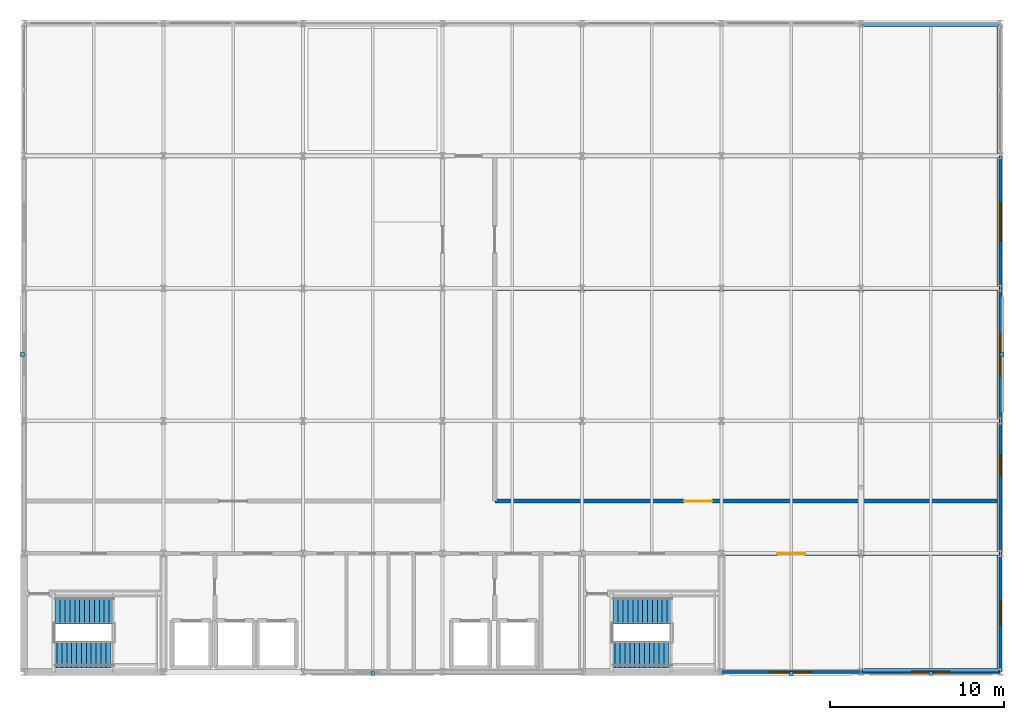
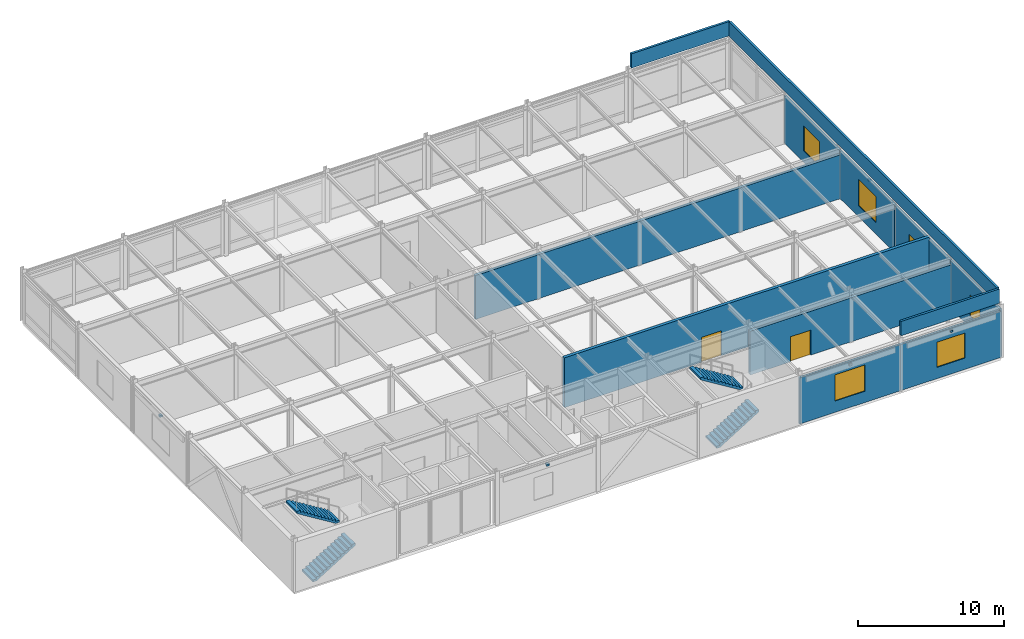
# One storey, part 15 of 16: 12 walls, 6 windows, 5 discrete accessories, 4 stair flights, 2 doors, 8 openings, 2 elements without a shape of their own.
"""IFC4 building model written with IfcOpenShell, lengths in metres."""

from ifc_helpers import new_model, si_unit, direction, frame, frame_2d, origin, origin_2d, place, context, subcontext, project, spatial, polyline, rectangle, outline, extrude, material, layer, layer_set, type_object, element, fill, aggregate, save


model = new_model("IFC4")

# Units and contexts
model_context = context("Model", 3, precision=1e-05, world=origin(), true_north=direction((0.0, 1.0)))
body_context = subcontext(model_context, "Body", "Model", "MODEL_VIEW")
ifc_project = project(units=[si_unit("LENGTHUNIT", "METRE"), si_unit("AREAUNIT", "SQUARE_METRE"), si_unit("VOLUMEUNIT", "CUBIC_METRE"), si_unit("PLANEANGLEUNIT", "RADIAN"), si_unit("MASSUNIT", "GRAM", prefix="KILO")], contexts=[model_context])

# Site, building, storey
site_placement = place(None, origin())
site = spatial("IfcSite", under=ifc_project, at=site_placement, CompositionType="ELEMENT")
building_placement = place(site_placement, origin())
building = spatial("IfcBuilding", under=site, at=building_placement, Name="Shalkamar Park Central Library", CompositionType="ELEMENT")
storey_placement = place(building_placement, frame((0.0, 0.0, 51.60009765625)))
storey = spatial("IfcBuildingStorey", under=building, at=storey_placement, Name="L13", CompositionType="ELEMENT", Elevation=51.60009765625)

# Wall, opening, door
ifc_material_1 = material(Name="Reinforced fire-compartment masonry wall", Category="masonry")
ifc_layer_1 = layer(ifc_material_1, 0.239990234375)
ifc_layer_set_1 = layer_set([ifc_layer_1], Name="CompartmentWall_240")
wall_type_1 = type_object("IfcWallType", Name="Compartment Wall 240", PredefinedType="PARTITIONING", material=ifc_layer_set_1)
wall_1_placement = place(storey_placement, frame((205.0, 255.199951171875, 0.0), z_axis=(0.0, 0.0, 1.0), x_axis=(1.0, 0.0, 0.0)))
wall_1 = element("IfcWall", 1, at=wall_1_placement, inside=storey, type_object=wall_type_1, Name="Interior Partition WL-INT-L13-010", PredefinedType="PARTITIONING", context=body_context, shape_type="SweptSolid", body=[
    extrude(rectangle(XDim=16.0, YDim=0.239990234375, at=frame_2d((8.0, 0.0))), origin(), (0.0, 0.0, 1.0), 3.677978515625),
])
opening_1_placement = place(wall_1_placement, frame((3.199951171875, 0.0, 0.0)))
opening_1 = element("IfcOpeningElement", 2, at=opening_1_placement, cuts=wall_1, Name="Opening DR-L13-012", PredefinedType="OPENING", context=body_context, shape_type="SweptSolid", body=[
    extrude(rectangle(XDim=1.60009765625, YDim=2.10009765625, at=frame_2d((0.800048828125, 1.050048828125))), frame((0.0, 0.134765625, 0.0), z_axis=(0.0, -1.0, 0.0), x_axis=(1.0, 0.0, 0.0)), (0.0, 0.0, 1.0), 0.269775390625),
])
ifc_material_2 = material(Name="Steel S355", Category="steel")
door_type = type_object("IfcDoorType", Name="Fire Door Double 1600x2100", OperationType="DOUBLE_DOOR_SINGLE_SWING", PredefinedType="DOOR", material=ifc_material_2)
door_1_placement = place(opening_1_placement, frame((1.60009765625, 0.0, 0.0), z_axis=(0.0, 0.0, 1.0), x_axis=(-1.0, 0.0, 0.0)))
door_1 = element("IfcDoor", 3, at=door_1_placement, inside=storey, type_object=door_type, Name="L13 Refuge Area Entrance Door", OperationType="DOUBLE_DOOR_SINGLE_SWING", OverallHeight=2.10009765625, OverallWidth=1.60009765625, PredefinedType="DOOR", context=body_context, shape_type="SweptSolid", body=[
    extrude(rectangle(XDim=1.60009765625, YDim=2.10009765625, at=frame_2d((0.800048828125, 1.050048828125))), frame((0.0, 0.02490234375, 0.0), z_axis=(0.0, -1.0, 0.0), x_axis=(1.0, 0.0, 0.0)), (0.0, 0.0, 1.0), 0.050048828125),
])
fill(opening_1, door_1)

wall_2_placement = place(storey_placement, frame((192.0, 258.199951171875, 0.0), z_axis=(0.0, 0.0, 1.0), x_axis=(1.0, 0.0, 0.0)))
wall_2 = element("IfcWall", 4, at=wall_2_placement, inside=storey, type_object=wall_type_1, Name="Interior Partition WL-INT-L13-012", PredefinedType="PARTITIONING", context=body_context, shape_type="SweptSolid", body=[
    extrude(rectangle(XDim=29.0, YDim=0.239990234375, at=frame_2d((14.5, 0.0))), origin(), (0.0, 0.0, 1.0), 4.179931640625),
])
opening_2_placement = place(wall_2_placement, frame((10.860107421875, 0.0, 0.0)))
opening_2 = element("IfcOpeningElement", 5, at=opening_2_placement, cuts=wall_2, Name="Opening DR-L13-014", PredefinedType="OPENING", context=body_context, shape_type="SweptSolid", body=[
    extrude(rectangle(XDim=1.60009765625, YDim=2.10009765625, at=frame_2d((0.800048828125, 1.050048828125))), frame((0.0, 0.134765625, 0.0), z_axis=(0.0, -1.0, 0.0), x_axis=(1.0, 0.0, 0.0)), (0.0, 0.0, 1.0), 0.269775390625),
])
door_2_placement = place(opening_2_placement, origin())
door_2 = element("IfcDoor", 6, at=door_2_placement, inside=storey, type_object=door_type, Name="Chilled Water Booster Plant Door", OperationType="DOUBLE_DOOR_SINGLE_SWING", OverallHeight=2.10009765625, OverallWidth=1.60009765625, PredefinedType="DOOR", context=body_context, shape_type="SweptSolid", body=[
    extrude(rectangle(XDim=1.60009765625, YDim=2.10009765625, at=frame_2d((0.800048828125, 1.050048828125))), frame((0.0, 0.02490234375, 0.0), z_axis=(0.0, -1.0, 0.0), x_axis=(1.0, 0.0, 0.0)), (0.0, 0.0, 1.0), 0.050048828125),
])
fill(opening_2, door_2)

# Walls
wall_3_placement = place(storey_placement, frame((192.0, 270.39990234375, 0.0), z_axis=(0.0, 0.0, 1.0), x_axis=(1.0, 0.0, 0.0)))
element("IfcWall", 7, at=wall_3_placement, inside=storey, type_object=wall_type_1, Name="Interior Partition WL-INT-L13-016", PredefinedType="PARTITIONING", context=body_context, shape_type="SweptSolid", body=[
    extrude(rectangle(XDim=29.0, YDim=0.239990234375, at=frame_2d((14.5, 0.0))), origin(), (0.0, 0.0, 1.0), 3.677978515625),
])
ifc_material_3 = material(Name="Concrete C35/45 precast", Category="concrete")
ifc_layer_2 = layer(ifc_material_3, 0.179931640625)
ifc_layer_set_2 = layer_set([ifc_layer_2], Name="Concrete C35/45 precast")
wall_type_2 = type_object("IfcWallType", Name="Roof Parapet Wall 180", PredefinedType="PARAPET", material=ifc_layer_set_2)
for number, where, z_axis, x_axis, name in (
    (8, (213.10009765625, 248.5, 4.5), (0.0, 0.0, 1.0), (1.0, 0.0, 0.0), "Roof Parapet Wall L13-35"),
    (9, (213.10009765625, 285.5, 4.5), (0.0, 0.0, 1.0), (1.0, 0.0, 0.0), "Roof Parapet Wall L13-36"),
):
    element("IfcWall", number, at=place(storey_placement, frame(where, z_axis=z_axis, x_axis=x_axis)), inside=storey, type_object=wall_type_2, Name=name, PredefinedType="PARAPET", context=body_context, shape_type="SweptSolid", body=[
        extrude(rectangle(XDim=7.7998046875, YDim=0.179931640625, at=frame_2d((3.89990234375, 0.0))), origin(), (0.0, 0.0, 1.0), 1.199951171875),
    ])
wall_4_placement = place(storey_placement, frame((220.89990234375, 248.60009765625, 4.5), z_axis=(0.0, 0.0, 1.0), x_axis=(0.0, 1.0, 0.0)))
element("IfcWall", 10, at=wall_4_placement, inside=storey, type_object=wall_type_2, Name="Roof Parapet Wall L13-37", PredefinedType="PARAPET", context=body_context, shape_type="SweptSolid", body=[
    extrude(rectangle(XDim=36.7998046875, YDim=0.179931640625, at=frame_2d((18.39990234375, 0.0))), origin(), (0.0, 0.0, 1.0), 1.199951171875),
])

# Wall, opening, window
ifc_material_4 = material(Name="Terracotta insulated wall panel", Category="masonry")
ifc_layer_3 = layer(ifc_material_4, 0.179931640625)
ifc_layer_set_3 = layer_set([ifc_layer_3], Name="TowerSpandrelWall_180")
wall_type_3 = type_object("IfcWallType", Name="Tower Spandrel Wall 180", PredefinedType="SOLIDWALL", material=ifc_layer_set_3)
wall_5_placement = place(storey_placement, frame((205.006103515625, 248.39990234375, 0.0), z_axis=(0.0, 0.0, 1.0), x_axis=(1.0, 0.0, 0.0)))
wall_5 = element("IfcWall", 11, at=wall_5_placement, inside=storey, type_object=wall_type_3, Name="Exterior Facade Wall WL-EXT-L13-238", PredefinedType="SOLIDWALL", context=body_context, shape_type="SweptSolid", body=[
    extrude(rectangle(XDim=7.98779296875, YDim=0.179931640625, at=frame_2d((3.993896484375, 0.0))), origin(), (0.0, 0.0, 1.0), 3.867919921875),
])
opening_3_placement = place(wall_5_placement, frame((2.7939453125, 0.0, 0.949951171875)))
opening_3 = element("IfcOpeningElement", 12, at=opening_3_placement, cuts=wall_5, Name="Opening WN-09", PredefinedType="OPENING", context=body_context, shape_type="SweptSolid", body=[
    extrude(rectangle(XDim=2.39990234375, YDim=2.199951171875, at=frame_2d((1.199951171875, 1.10009765625))), frame((0.0, 0.10498046875, 0.0), z_axis=(0.0, -1.0, 0.0), x_axis=(1.0, 0.0, 0.0)), (0.0, 0.0, 1.0), 0.209716796875),
])
ifc_material_5 = material(Name="Thermally broken aluminium and triple low-e glass", Category="glass")
window_type_1 = type_object("IfcWindowType", Name="Tower Window 2400x2200", PartitioningType="DOUBLE_PANEL_VERTICAL", PredefinedType="WINDOW", material=ifc_material_5)
window_1_placement = place(opening_3_placement, origin())
window_1 = element("IfcWindow", 13, at=window_1_placement, inside=storey, type_object=window_type_1, Name="Facade Window WN-L13-174", OverallHeight=2.199951171875, OverallWidth=2.39990234375, PartitioningType="DOUBLE_PANEL_VERTICAL", PredefinedType="WINDOW", context=body_context, shape_type="SweptSolid", body=[
    extrude(rectangle(XDim=2.39990234375, YDim=2.199951171875, at=frame_2d((1.199951171875, 1.10009765625))), frame((0.0, 0.030029296875, 0.0), z_axis=(0.0, -1.0, 0.0), x_axis=(1.0, 0.0, 0.0)), (0.0, 0.0, 1.0), 0.06005859375),
])
fill(opening_3, window_1)

wall_6_placement = place(storey_placement, frame((213.006103515625, 248.39990234375, 0.0), z_axis=(0.0, 0.0, 1.0), x_axis=(1.0, 0.0, 0.0)))
wall_6 = element("IfcWall", 14, at=wall_6_placement, inside=storey, type_object=wall_type_3, Name="Exterior Facade Wall WL-EXT-L13-239", PredefinedType="SOLIDWALL", context=body_context, shape_type="SweptSolid", body=[
    extrude(rectangle(XDim=7.98779296875, YDim=0.179931640625, at=frame_2d((3.993896484375, 0.0))), origin(), (0.0, 0.0, 1.0), 3.867919921875),
])
opening_4_placement = place(wall_6_placement, frame((2.89404296875, 0.0, 0.949951171875)))
opening_4 = element("IfcOpeningElement", 15, at=opening_4_placement, cuts=wall_6, Name="Opening WN-10", PredefinedType="OPENING", context=body_context, shape_type="SweptSolid", body=[
    extrude(rectangle(XDim=2.199951171875, YDim=2.10009765625, at=frame_2d((1.10009765625, 1.050048828125))), frame((0.0, 0.10498046875, 0.0), z_axis=(0.0, -1.0, 0.0), x_axis=(1.0, 0.0, 0.0)), (0.0, 0.0, 1.0), 0.209716796875),
])
window_type_2 = type_object("IfcWindowType", Name="Tower Window 2200x2100", PartitioningType="DOUBLE_PANEL_VERTICAL", PredefinedType="WINDOW", material=ifc_material_5)
window_2_placement = place(opening_4_placement, origin())
window_2 = element("IfcWindow", 16, at=window_2_placement, inside=storey, type_object=window_type_2, Name="Facade Window WN-L13-175", OverallHeight=2.10009765625, OverallWidth=2.199951171875, PartitioningType="DOUBLE_PANEL_VERTICAL", PredefinedType="WINDOW", context=body_context, shape_type="SweptSolid", body=[
    extrude(rectangle(XDim=2.199951171875, YDim=2.10009765625, at=frame_2d((1.10009765625, 1.050048828125))), frame((0.0, 0.030029296875, 0.0), z_axis=(0.0, -1.0, 0.0), x_axis=(1.0, 0.0, 0.0)), (0.0, 0.0, 1.0), 0.06005859375),
])
fill(opening_4, window_2)

wall_7_placement = place(storey_placement, frame((221.0, 248.406005859375, 0.0), z_axis=(0.0, 0.0, 1.0), x_axis=(0.0, 1.0, 0.0)))
wall_7 = element("IfcWall", 17, at=wall_7_placement, inside=storey, type_object=wall_type_3, Name="Exterior Facade Wall WL-EXT-L13-243", PredefinedType="SOLIDWALL", context=body_context, shape_type="SweptSolid", body=[
    extrude(rectangle(XDim=6.7880859375, YDim=0.179931640625, at=frame_2d((3.39404296875, 0.0))), origin(), (0.0, 0.0, 1.0), 4.017822265625),
])
opening_5_placement = place(wall_7_placement, frame((2.718994140625, 0.0, 0.949951171875)))
opening_5 = element("IfcOpeningElement", 18, at=opening_5_placement, cuts=wall_7, Name="Opening WN-15", PredefinedType="OPENING", context=body_context, shape_type="SweptSolid", body=[
    extrude(rectangle(XDim=1.35009765625, YDim=1.800048828125, at=frame_2d((0.675048828125, 0.89990234375))), frame((0.0, 0.10498046875, 0.0), z_axis=(0.0, -1.0, 0.0), x_axis=(1.0, 0.0, 0.0)), (0.0, 0.0, 1.0), 0.209716796875),
])
window_type_3 = type_object("IfcWindowType", Name="Tower Window 1350x1800", PartitioningType="SINGLE_PANEL", PredefinedType="WINDOW", material=ifc_material_5)
window_3_placement = place(opening_5_placement, origin())
window_3 = element("IfcWindow", 19, at=window_3_placement, inside=storey, type_object=window_type_3, Name="Facade Window WN-L13-178", OverallHeight=1.800048828125, OverallWidth=1.35009765625, PartitioningType="SINGLE_PANEL", PredefinedType="WINDOW", context=body_context, shape_type="SweptSolid", body=[
    extrude(rectangle(XDim=1.35009765625, YDim=1.800048828125, at=frame_2d((0.675048828125, 0.89990234375))), frame((0.0, 0.030029296875, 0.0), z_axis=(0.0, -1.0, 0.0), x_axis=(1.0, 0.0, 0.0)), (0.0, 0.0, 1.0), 0.06005859375),
])
fill(opening_5, window_3)

wall_8_placement = place(storey_placement, frame((221.0, 255.2060546875, 0.0), z_axis=(0.0, 0.0, 1.0), x_axis=(0.0, 1.0, 0.0)))
wall_8 = element("IfcWall", 20, at=wall_8_placement, inside=storey, type_object=wall_type_3, Name="Exterior Facade Wall WL-EXT-L13-244", PredefinedType="SOLIDWALL", context=body_context, shape_type="SweptSolid", body=[
    extrude(rectangle(XDim=7.587890625, YDim=0.179931640625, at=frame_2d((3.7939453125, 0.0))), origin(), (0.0, 0.0, 1.0), 3.977783203125),
])
opening_6_placement = place(wall_8_placement, frame((4.466064453125, 0.0, 0.949951171875)))
opening_6 = element("IfcOpeningElement", 21, at=opening_6_placement, cuts=wall_8, Name="Opening WN-16", PredefinedType="OPENING", context=body_context, shape_type="SweptSolid", body=[
    extrude(rectangle(XDim=1.199951171875, YDim=1.800048828125, at=frame_2d((0.60009765625, 0.89990234375))), frame((0.0, 0.10498046875, 0.0), z_axis=(0.0, -1.0, 0.0), x_axis=(1.0, 0.0, 0.0)), (0.0, 0.0, 1.0), 0.209716796875),
])
window_type_4 = type_object("IfcWindowType", Name="Tower Window 1200x1800", PartitioningType="SINGLE_PANEL", PredefinedType="WINDOW", material=ifc_material_5)
window_4_placement = place(opening_6_placement, origin())
window_4 = element("IfcWindow", 22, at=window_4_placement, inside=storey, type_object=window_type_4, Name="Facade Window WN-L13-179", OverallHeight=1.800048828125, OverallWidth=1.199951171875, PartitioningType="SINGLE_PANEL", PredefinedType="WINDOW", context=body_context, shape_type="SweptSolid", body=[
    extrude(rectangle(XDim=1.199951171875, YDim=1.800048828125, at=frame_2d((0.60009765625, 0.89990234375))), frame((0.0, 0.030029296875, 0.0), z_axis=(0.0, -1.0, 0.0), x_axis=(1.0, 0.0, 0.0)), (0.0, 0.0, 1.0), 0.06005859375),
])
fill(opening_6, window_4)

wall_9_placement = place(storey_placement, frame((221.0, 262.805908203125, 0.0), z_axis=(0.0, 0.0, 1.0), x_axis=(0.0, 1.0, 0.0)))
wall_9 = element("IfcWall", 23, at=wall_9_placement, inside=storey, type_object=wall_type_3, Name="Exterior Facade Wall WL-EXT-L13-245", PredefinedType="SOLIDWALL", context=body_context, shape_type="SweptSolid", body=[
    extrude(rectangle(XDim=7.588134765625, YDim=0.179931640625, at=frame_2d((3.7939453125, 0.0))), origin(), (0.0, 0.0, 1.0), 3.977783203125),
])
opening_7_placement = place(wall_9_placement, frame((2.593994140625, 0.0, 0.949951171875)))
opening_7 = element("IfcOpeningElement", 24, at=opening_7_placement, cuts=wall_9, Name="Opening WN-09", PredefinedType="OPENING", context=body_context, shape_type="SweptSolid", body=[
    extrude(rectangle(XDim=2.39990234375, YDim=2.199951171875, at=frame_2d((1.199951171875, 1.10009765625))), frame((0.0, 0.10498046875, 0.0), z_axis=(0.0, -1.0, 0.0), x_axis=(1.0, 0.0, 0.0)), (0.0, 0.0, 1.0), 0.209716796875),
])
window_5_placement = place(opening_7_placement, origin())
window_5 = element("IfcWindow", 25, at=window_5_placement, inside=storey, type_object=window_type_1, Name="Facade Window WN-L13-180", OverallHeight=2.199951171875, OverallWidth=2.39990234375, PartitioningType="DOUBLE_PANEL_VERTICAL", PredefinedType="WINDOW", context=body_context, shape_type="SweptSolid", body=[
    extrude(rectangle(XDim=2.39990234375, YDim=2.199951171875, at=frame_2d((1.199951171875, 1.10009765625))), frame((0.0, 0.030029296875, 0.0), z_axis=(0.0, -1.0, 0.0), x_axis=(1.0, 0.0, 0.0)), (0.0, 0.0, 1.0), 0.06005859375),
])
fill(opening_7, window_5)

wall_10_placement = place(storey_placement, frame((221.0, 270.406005859375, 0.0), z_axis=(0.0, 0.0, 1.0), x_axis=(0.0, 1.0, 0.0)))
wall_10 = element("IfcWall", 26, at=wall_10_placement, inside=storey, type_object=wall_type_3, Name="Exterior Facade Wall WL-EXT-L13-246", PredefinedType="SOLIDWALL", context=body_context, shape_type="SweptSolid", body=[
    extrude(rectangle(XDim=7.587890625, YDim=0.179931640625, at=frame_2d((3.7939453125, 0.0))), origin(), (0.0, 0.0, 1.0), 3.977783203125),
])
opening_8_placement = place(wall_10_placement, frame((2.694091796875, 0.0, 0.949951171875)))
opening_8 = element("IfcOpeningElement", 27, at=opening_8_placement, cuts=wall_10, Name="Opening WN-10", PredefinedType="OPENING", context=body_context, shape_type="SweptSolid", body=[
    extrude(rectangle(XDim=2.199951171875, YDim=2.10009765625, at=frame_2d((1.10009765625, 1.050048828125))), frame((0.0, 0.10498046875, 0.0), z_axis=(0.0, -1.0, 0.0), x_axis=(1.0, 0.0, 0.0)), (0.0, 0.0, 1.0), 0.209716796875),
])
window_6_placement = place(opening_8_placement, origin())
window_6 = element("IfcWindow", 28, at=window_6_placement, inside=storey, type_object=window_type_2, Name="Facade Window WN-L13-181", OverallHeight=2.10009765625, OverallWidth=2.199951171875, PartitioningType="DOUBLE_PANEL_VERTICAL", PredefinedType="WINDOW", context=body_context, shape_type="SweptSolid", body=[
    extrude(rectangle(XDim=2.199951171875, YDim=2.10009765625, at=frame_2d((1.10009765625, 1.050048828125))), frame((0.0, 0.030029296875, 0.0), z_axis=(0.0, -1.0, 0.0), x_axis=(1.0, 0.0, 0.0)), (0.0, 0.0, 1.0), 0.06005859375),
])
fill(opening_8, window_6)

# Stair, stair flights
ifc_material_6 = material(Name="Concrete C35/45", Category="concrete")
stair_type = type_object("IfcStairType", Name="Protected Dog Leg Stair 150x450", PredefinedType="TWO_STRAIGHT_RUN_STAIR", material=ifc_material_6)
stair_1_placement = place(storey_placement, origin())
stair_1 = element("IfcStair", 29, at=stair_1_placement, inside=storey, type_object=stair_type, Name="Protected Core Stair ST-T1-L13", PredefinedType="TWO_STRAIGHT_RUN_STAIR")
stair_flight_type = type_object("IfcStairFlightType", Name="Straight Stair Flight 150x450", PredefinedType="STRAIGHT", material=ifc_material_6)
stair_flight_1_placement = place(storey_placement, frame((166.6201171875, 249.389892578125, 0.0), z_axis=(0.0, 0.0, 1.0), x_axis=(1.0, 0.0, 0.0)))
stair_flight_1 = element("IfcStairFlight", 30, at=stair_flight_1_placement, type_object=stair_flight_type, Name="ST-T1-L13 flight 1", NumberOfRisers=13, NumberOfTreads=12, PredefinedType="STRAIGHT", RiserHeight=0.173077, TreadLength=0.28, context=body_context, shape_type="SweptSolid", body=[
    extrude(outline(polyline([(0.0, 0.0), (0.0, 0.173095703125), (0.280029296875, 0.173095703125), (0.280029296875, 0.34619140625), (0.56005859375, 0.34619140625), (0.56005859375, 0.519287109375), (0.840087890625, 0.519287109375), (0.840087890625, 0.6923828125), (1.1201171875, 0.6923828125), (1.1201171875, 0.865478515625), (1.39990234375, 0.865478515625), (1.39990234375, 1.03857421875), (1.679931640625, 1.03857421875), (1.679931640625, 1.21142578125), (1.9599609375, 1.21142578125), (1.9599609375, 1.384521484375), (2.239990234375, 1.384521484375), (2.239990234375, 1.5576171875), (2.52001953125, 1.5576171875), (2.52001953125, 1.730712890625), (2.800048828125, 1.730712890625), (2.800048828125, 1.90380859375), (3.080078125, 1.90380859375), (3.080078125, 2.076904296875), (3.360107421875, 2.076904296875), (3.360107421875, 2.25), (3.360107421875, 1.900634765625), (0.28515625, 0.0), (0.0, 0.0)])), frame((0.0, 0.75, 0.0), z_axis=(0.0, -1.0, 0.0), x_axis=(1.0, 0.0, 0.0)), (0.0, 0.0, 1.0), 1.5),
])
stair_flight_2_placement = place(storey_placement, frame((170.159912109375, 251.909912109375, 2.25), z_axis=(0.0, 0.0, 1.0), x_axis=(-1.0, 0.0, 0.0)))
stair_flight_2 = element("IfcStairFlight", 31, at=stair_flight_2_placement, type_object=stair_flight_type, Name="ST-T1-L13 flight 2", NumberOfRisers=13, NumberOfTreads=12, PredefinedType="STRAIGHT", RiserHeight=0.173077, TreadLength=0.28, context=body_context, shape_type="SweptSolid", body=[
    extrude(outline(polyline([(0.0, 0.0), (0.0, 0.173095703125), (0.280029296875, 0.173095703125), (0.280029296875, 0.34619140625), (0.56005859375, 0.34619140625), (0.56005859375, 0.519287109375), (0.840087890625, 0.519287109375), (0.840087890625, 0.6923828125), (1.1201171875, 0.6923828125), (1.1201171875, 0.865478515625), (1.39990234375, 0.865478515625), (1.39990234375, 1.03857421875), (1.679931640625, 1.03857421875), (1.679931640625, 1.21142578125), (1.9599609375, 1.21142578125), (1.9599609375, 1.384521484375), (2.239990234375, 1.384521484375), (2.239990234375, 1.5576171875), (2.52001953125, 1.5576171875), (2.52001953125, 1.730712890625), (2.800048828125, 1.730712890625), (2.800048828125, 1.90380859375), (3.080078125, 1.90380859375), (3.080078125, 2.076904296875), (3.360107421875, 2.076904296875), (3.360107421875, 2.25), (3.360107421875, 1.900634765625), (0.28515625, 0.0), (0.0, 0.0)])), frame((0.0, 0.75, 0.0), z_axis=(0.0, -1.0, 0.0), x_axis=(1.0, 0.0, 0.0)), (0.0, 0.0, 1.0), 1.5),
])
aggregate(stair_1, [stair_flight_1, stair_flight_2])

stair_2_placement = place(storey_placement, origin())
stair_2 = element("IfcStair", 32, at=stair_2_placement, inside=storey, type_object=stair_type, Name="Protected Core Stair ST-T2-L13", PredefinedType="TWO_STRAIGHT_RUN_STAIR")
stair_flight_3_placement = place(storey_placement, frame((198.6201171875, 249.389892578125, 0.0), z_axis=(0.0, 0.0, 1.0), x_axis=(1.0, 0.0, 0.0)))
stair_flight_3 = element("IfcStairFlight", 33, at=stair_flight_3_placement, type_object=stair_flight_type, Name="ST-T2-L13 flight 1", NumberOfRisers=13, NumberOfTreads=12, PredefinedType="STRAIGHT", RiserHeight=0.173077, TreadLength=0.28, context=body_context, shape_type="SweptSolid", body=[
    extrude(outline(polyline([(0.0, 0.0), (0.0, 0.173095703125), (0.280029296875, 0.173095703125), (0.280029296875, 0.34619140625), (0.56005859375, 0.34619140625), (0.56005859375, 0.519287109375), (0.840087890625, 0.519287109375), (0.840087890625, 0.6923828125), (1.1201171875, 0.6923828125), (1.1201171875, 0.865478515625), (1.39990234375, 0.865478515625), (1.39990234375, 1.03857421875), (1.679931640625, 1.03857421875), (1.679931640625, 1.21142578125), (1.9599609375, 1.21142578125), (1.9599609375, 1.384521484375), (2.239990234375, 1.384521484375), (2.239990234375, 1.5576171875), (2.52001953125, 1.5576171875), (2.52001953125, 1.730712890625), (2.800048828125, 1.730712890625), (2.800048828125, 1.90380859375), (3.080078125, 1.90380859375), (3.080078125, 2.076904296875), (3.360107421875, 2.076904296875), (3.360107421875, 2.25), (3.360107421875, 1.900634765625), (0.28515625, 0.0), (0.0, 0.0)])), frame((0.0, 0.75, 0.0), z_axis=(0.0, -1.0, 0.0), x_axis=(1.0, 0.0, 0.0)), (0.0, 0.0, 1.0), 1.5),
])
stair_flight_4_placement = place(storey_placement, frame((202.159912109375, 251.909912109375, 2.25), z_axis=(0.0, 0.0, 1.0), x_axis=(-1.0, 0.0, 0.0)))
stair_flight_4 = element("IfcStairFlight", 34, at=stair_flight_4_placement, type_object=stair_flight_type, Name="ST-T2-L13 flight 2", NumberOfRisers=13, NumberOfTreads=12, PredefinedType="STRAIGHT", RiserHeight=0.173077, TreadLength=0.28, context=body_context, shape_type="SweptSolid", body=[
    extrude(outline(polyline([(0.0, 0.0), (0.0, 0.173095703125), (0.280029296875, 0.173095703125), (0.280029296875, 0.34619140625), (0.56005859375, 0.34619140625), (0.56005859375, 0.519287109375), (0.840087890625, 0.519287109375), (0.840087890625, 0.6923828125), (1.1201171875, 0.6923828125), (1.1201171875, 0.865478515625), (1.39990234375, 0.865478515625), (1.39990234375, 1.03857421875), (1.679931640625, 1.03857421875), (1.679931640625, 1.21142578125), (1.9599609375, 1.21142578125), (1.9599609375, 1.384521484375), (2.239990234375, 1.384521484375), (2.239990234375, 1.5576171875), (2.52001953125, 1.5576171875), (2.52001953125, 1.730712890625), (2.800048828125, 1.730712890625), (2.800048828125, 1.90380859375), (3.080078125, 1.90380859375), (3.080078125, 2.076904296875), (3.360107421875, 2.076904296875), (3.360107421875, 2.25), (3.360107421875, 1.900634765625), (0.28515625, 0.0), (0.0, 0.0)])), frame((0.0, 0.75, 0.0), z_axis=(0.0, -1.0, 0.0), x_axis=(1.0, 0.0, 0.0)), (0.0, 0.0, 1.0), 1.5),
])
aggregate(stair_2, [stair_flight_3, stair_flight_4])

# Discrete accessories
discrete_accessory_type = type_object("IfcDiscreteAccessoryType", Name="Stainless Facade Bracket", PredefinedType="BRACKET", material=ifc_material_2)
for number, where, z_axis, x_axis, name in (
    (35, (185.0, 248.31005859375, 3.56298828125), (0.0, 0.0, 1.0), (1.0, 0.0, 0.0), "Frieze Fixing Bracket L13-049"),
    (36, (209.0, 248.31005859375, 3.56298828125), (0.0, 0.0, 1.0), (1.0, 0.0, 0.0), "Frieze Fixing Bracket L13-050"),
    (37, (217.0, 248.31005859375, 3.56298828125), (0.0, 0.0, 1.0), (1.0, 0.0, 0.0), "Frieze Fixing Bracket L13-051"),
    (38, (164.909912109375, 266.60009765625, 3.60302734375), (0.0, 0.0, 1.0), (1.0, 0.0, 0.0), "Frieze Fixing Bracket L13-052"),
    (39, (221.090087890625, 266.60009765625, 3.6728515625), (0.0, 0.0, 1.0), (1.0, 0.0, 0.0), "Frieze Fixing Bracket L13-053"),
):
    element("IfcDiscreteAccessory", number, at=place(storey_placement, frame(where, z_axis=z_axis, x_axis=x_axis)), inside=storey, type_object=discrete_accessory_type, Name=name, PredefinedType="BRACKET", context=body_context, shape_type="SweptSolid", body=[
        extrude(rectangle(XDim=0.219970703125, YDim=0.219970703125, at=origin_2d()), origin(), (0.0, 0.0, 1.0), 0.159912109375),
    ])

save(model, "model.ifc")
